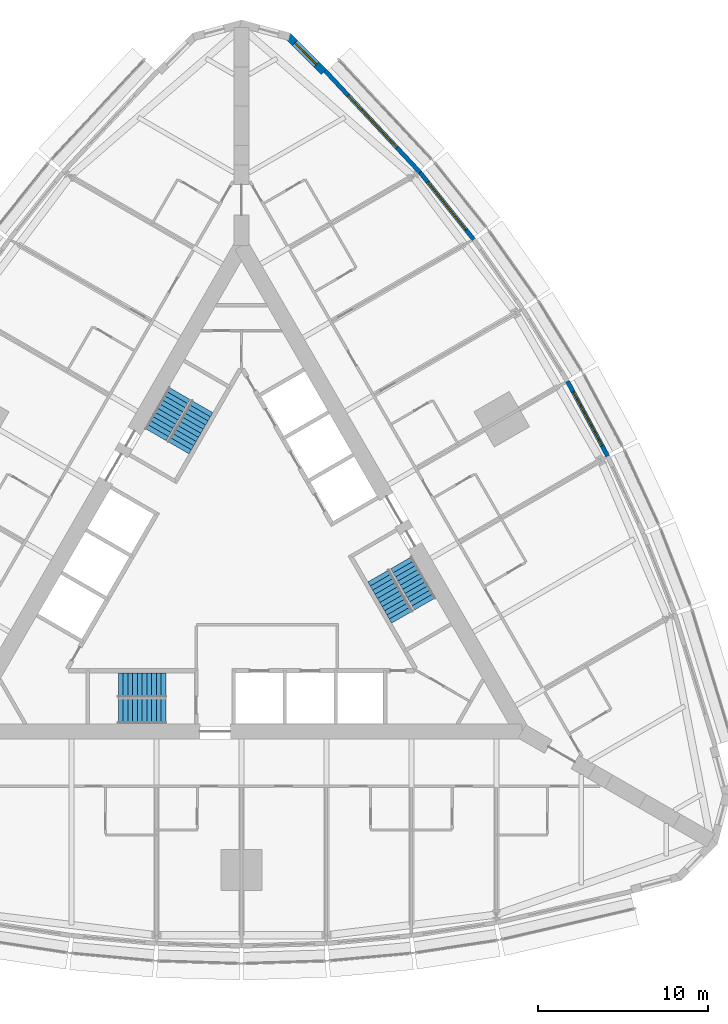
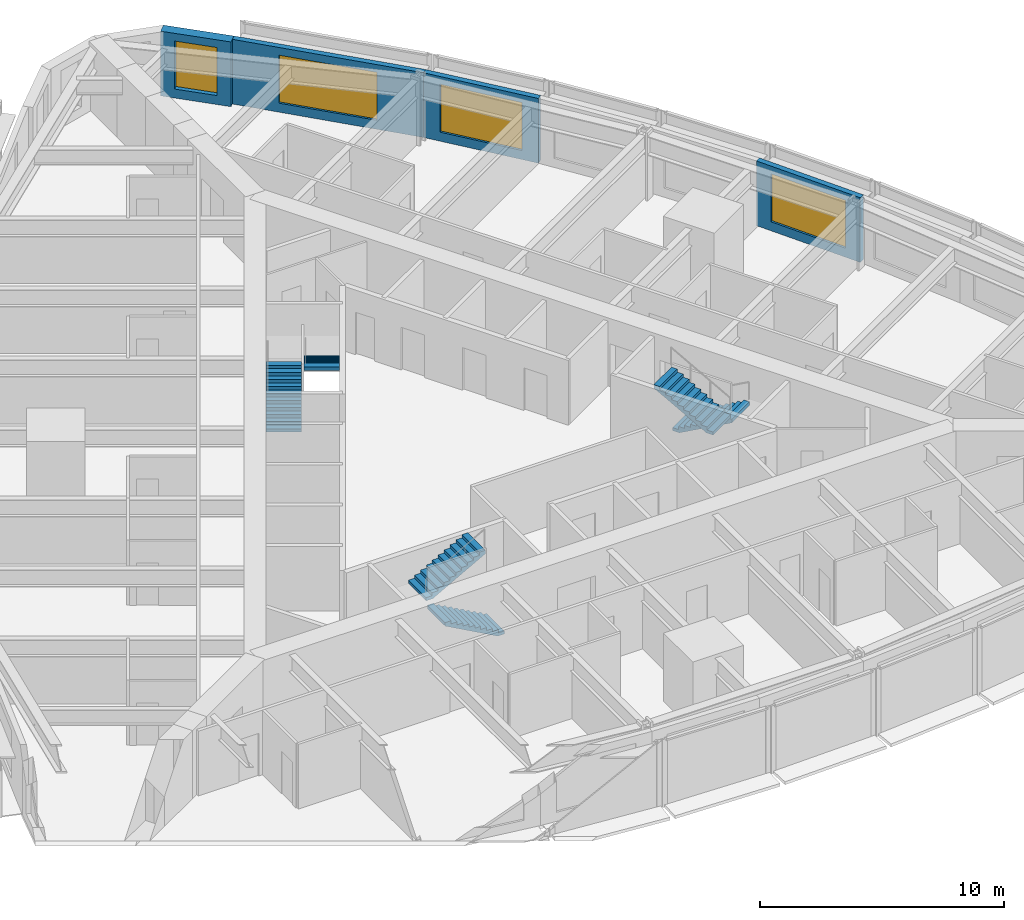
# One storey, part 13 of 14: 6 stair flights, 4 walls, 4 windows, 4 openings, 3 elements without a shape of their own.
"""IFC4 building model written with IfcOpenShell, lengths in metres."""

from ifc_helpers import new_model, si_unit, direction, frame, frame_2d, origin, place, context, subcontext, project, spatial, polyline, rectangle, outline, extrude, material, layer, layer_set, type_object, element, fill, aggregate, save


model = new_model("IFC4")

# Units and contexts
model_context = context("Model", 3, precision=1e-05, world=origin(), true_north=direction((0.0, 1.0)))
body_context = subcontext(model_context, "Body", "Model", "MODEL_VIEW")
ifc_project = project(units=[si_unit("LENGTHUNIT", "METRE"), si_unit("AREAUNIT", "SQUARE_METRE"), si_unit("VOLUMEUNIT", "CUBIC_METRE"), si_unit("PLANEANGLEUNIT", "RADIAN"), si_unit("MASSUNIT", "GRAM", prefix="KILO")], contexts=[model_context])

# Site, building, storey
site_placement = place(None, origin())
site = spatial("IfcSite", under=ifc_project, at=site_placement, CompositionType="ELEMENT")
building_placement = place(site_placement, origin())
building = spatial("IfcBuilding", under=site, at=building_placement, Name="Trikona Tower", CompositionType="ELEMENT")
storey_placement = place(building_placement, frame((0.0, 0.0, 93.10009765625)))
storey = spatial("IfcBuildingStorey", under=building, at=storey_placement, Name="L24", CompositionType="ELEMENT", Elevation=93.10009765625)

# Wall, opening, window
ifc_material_1 = material(Name="Brick-faced precast concrete", Category="masonry")
ifc_layer_1 = layer(ifc_material_1, 0.449951171875)
ifc_layer_set_1 = layer_set([ifc_layer_1], Name="Brick-faced corner wall 450")
wall_type_1 = type_object("IfcWallType", Name="Brick-faced corner wall 450", PredefinedType="SOLIDWALL", material=ifc_layer_set_1)
wall_1_placement = place(storey_placement, frame((4.8408203125, 29.285888671875, 0.0), z_axis=(0.0, 0.0, 1.0), x_axis=(-0.707106781187, 0.707106781187, 0.0)))
wall_1 = element("IfcWall", 1, at=wall_1_placement, inside=storey, type_object=wall_type_1, Name="External wall L24-20", PredefinedType="SOLIDWALL", context=body_context, shape_type="SweptSolid", body=[
    extrude(rectangle(XDim=2.98828125, YDim=0.449951171875, at=frame_2d((1.494140625, 0.0))), origin(), (0.0, 0.0, 1.0), 3.23486328125),
])
opening_1_placement = place(wall_1_placement, frame((0.59423828125, 0.0, 0.449951171875)))
opening_1 = element("IfcOpeningElement", 2, at=opening_1_placement, cuts=wall_1, Name="Opening W1824", PredefinedType="OPENING", context=body_context, shape_type="SweptSolid", body=[
    extrude(rectangle(XDim=1.800048828125, YDim=2.39990234375, at=frame_2d((0.89990234375, 1.199951171875))), frame((0.0, 0.23486328125, 0.0), z_axis=(0.0, -1.0, 0.0), x_axis=(1.0, 0.0, 0.0)), (0.0, 0.0, 1.0), 0.469970703125),
])
ifc_material_2 = material(Name="Aluminium-framed double glazing", Category="aluminium")
window_type_1 = type_object("IfcWindowType", Name="Window 1800x2400", PartitioningType="SINGLE_PANEL", PredefinedType="WINDOW", material=ifc_material_2)
window_1_placement = place(opening_1_placement, origin())
window_1 = element("IfcWindow", 3, at=window_1_placement, inside=storey, type_object=window_type_1, Name="Window 2411", OverallHeight=2.39990234375, OverallWidth=1.800048828125, PartitioningType="SINGLE_PANEL", PredefinedType="WINDOW", context=body_context, shape_type="SweptSolid", body=[
    extrude(rectangle(XDim=1.800048828125, YDim=2.39990234375, at=frame_2d((0.89990234375, 1.199951171875))), frame((0.0, 0.030029296875, 0.0), z_axis=(0.0, -1.0, 0.0), x_axis=(1.0, 0.0, 0.0)), (0.0, 0.0, 1.0), 0.06005859375),
])
fill(opening_1, window_1)

ifc_material_3 = material(Name="Insulated precast concrete spandrel panel", Category="concrete")
ifc_layer_2 = layer(ifc_material_3, 0.25)
ifc_layer_set_2 = layer_set([ifc_layer_2], Name="Inner skin wall 250")
wall_type_2 = type_object("IfcWallType", Name="Inner skin wall 250", PredefinedType="STANDARD", material=ifc_layer_set_2)
wall_2_placement = place(storey_placement, frame((21.546630859375, 6.6708984375, 0.0), z_axis=(0.0, 0.0, 1.0), x_axis=(-0.473412820489, 0.880840678782, 0.0)))
wall_2 = element("IfcWall", 4, at=wall_2_placement, inside=storey, type_object=wall_type_2, Name="External wall L24-15", PredefinedType="STANDARD", context=body_context, shape_type="SweptSolid", body=[
    extrude(rectangle(XDim=5.00244140625, YDim=0.25, at=frame_2d((2.501220703125, 0.0))), origin(), (0.0, 0.0, 1.0), 3.23486328125),
])
opening_2_placement = place(wall_2_placement, frame((0.701171875, 0.0, 0.449951171875)))
opening_2 = element("IfcOpeningElement", 5, at=opening_2_placement, cuts=wall_2, Name="Opening W3624", PredefinedType="OPENING", context=body_context, shape_type="SweptSolid", body=[
    extrude(rectangle(XDim=3.60009765625, YDim=2.39990234375, at=frame_2d((1.800048828125, 1.199951171875))), frame((0.0, 0.135009765625, 0.0), z_axis=(0.0, -1.0, 0.0), x_axis=(1.0, 0.0, 0.0)), (0.0, 0.0, 1.0), 0.27001953125),
])
ifc_material_4 = material(Name="Aluminium-framed double glazing", Category="aluminium")
window_type_2 = type_object("IfcWindowType", Name="Window 3600x2400", PartitioningType="SINGLE_PANEL", PredefinedType="WINDOW", material=ifc_material_4)
window_2_placement = place(opening_2_placement, origin())
window_2 = element("IfcWindow", 6, at=window_2_placement, inside=storey, type_object=window_type_2, Name="Window 2409", OverallHeight=2.39990234375, OverallWidth=3.60009765625, PartitioningType="SINGLE_PANEL", PredefinedType="WINDOW", context=body_context, shape_type="SweptSolid", body=[
    extrude(rectangle(XDim=3.60009765625, YDim=2.39990234375, at=frame_2d((1.800048828125, 1.199951171875))), frame((0.0, 0.030029296875, 0.0), z_axis=(0.0, -1.0, 0.0), x_axis=(1.0, 0.0, 0.0)), (0.0, 0.0, 1.0), 0.06005859375),
])
fill(opening_2, window_2)

wall_3_placement = place(storey_placement, frame((13.663818359375, 19.4140625, 0.0), z_axis=(0.0, 0.0, 1.0), x_axis=(-0.624594965756, 0.780948864364, 0.0)))
wall_3 = element("IfcWall", 7, at=wall_3_placement, inside=storey, type_object=wall_type_2, Name="External wall L24-18", PredefinedType="STANDARD", context=body_context, shape_type="SweptSolid", body=[
    extrude(rectangle(XDim=5.0576171875, YDim=0.25, at=frame_2d((2.52880859375, 0.0))), origin(), (0.0, 0.0, 1.0), 3.23486328125),
])
opening_3_placement = place(wall_3_placement, frame((0.728759765625, 0.0, 0.449951171875)))
opening_3 = element("IfcOpeningElement", 8, at=opening_3_placement, cuts=wall_3, Name="Opening W3624", PredefinedType="OPENING", context=body_context, shape_type="SweptSolid", body=[
    extrude(rectangle(XDim=3.60009765625, YDim=2.39990234375, at=frame_2d((1.800048828125, 1.199951171875))), frame((0.0, 0.135009765625, 0.0), z_axis=(0.0, -1.0, 0.0), x_axis=(1.0, 0.0, 0.0)), (0.0, 0.0, 1.0), 0.27001953125),
])
window_3_placement = place(opening_3_placement, origin())
window_3 = element("IfcWindow", 9, at=window_3_placement, inside=storey, type_object=window_type_2, Name="Window 2410.2", OverallHeight=2.39990234375, OverallWidth=3.60009765625, PartitioningType="SINGLE_PANEL", PredefinedType="WINDOW", context=body_context, shape_type="SweptSolid", body=[
    extrude(rectangle(XDim=3.60009765625, YDim=2.39990234375, at=frame_2d((1.800048828125, 1.199951171875))), frame((0.0, 0.030029296875, 0.0), z_axis=(0.0, -1.0, 0.0), x_axis=(1.0, 0.0, 0.0)), (0.0, 0.0, 1.0), 0.06005859375),
])
fill(opening_3, window_3)

wall_4_placement = place(storey_placement, frame((10.510986328125, 23.356689453125, 0.0), z_axis=(0.0, 0.0, 1.0), x_axis=(-0.682289646561, 0.731081964075, 0.0)))
wall_4 = element("IfcWall", 10, at=wall_4_placement, inside=storey, type_object=wall_type_2, Name="External wall L24-19", PredefinedType="STANDARD", context=body_context, shape_type="SweptSolid", body=[
    extrude(rectangle(XDim=8.2109375, YDim=0.25, at=frame_2d((4.10546875, 0.0))), origin(), (0.0, 0.0, 1.0), 3.23486328125),
])
opening_4_placement = place(wall_4_placement, frame((2.005615234375, 0.0, 0.449951171875)))
opening_4 = element("IfcOpeningElement", 11, at=opening_4_placement, cuts=wall_4, Name="Opening W4224", PredefinedType="OPENING", context=body_context, shape_type="SweptSolid", body=[
    extrude(rectangle(XDim=4.199951171875, YDim=2.39990234375, at=frame_2d((2.10009765625, 1.199951171875))), frame((0.0, 0.135009765625, 0.0), z_axis=(0.0, -1.0, 0.0), x_axis=(1.0, 0.0, 0.0)), (0.0, 0.0, 1.0), 0.27001953125),
])
ifc_material_5 = material(Name="Aluminium-framed double glazing", Category="aluminium")
window_type_3 = type_object("IfcWindowType", Name="Window 4200x2400", PartitioningType="SINGLE_PANEL", PredefinedType="WINDOW", material=ifc_material_5)
window_4_placement = place(opening_4_placement, origin())
window_4 = element("IfcWindow", 12, at=window_4_placement, inside=storey, type_object=window_type_3, Name="Window 2411", OverallHeight=2.39990234375, OverallWidth=4.199951171875, PartitioningType="SINGLE_PANEL", PredefinedType="WINDOW", context=body_context, shape_type="SweptSolid", body=[
    extrude(rectangle(XDim=4.199951171875, YDim=2.39990234375, at=frame_2d((2.10009765625, 1.199951171875))), frame((0.0, 0.030029296875, 0.0), z_axis=(0.0, -1.0, 0.0), x_axis=(1.0, 0.0, 0.0)), (0.0, 0.0, 1.0), 0.06005859375),
])
fill(opening_4, window_4)

# Stair, stair flights
ifc_material_6 = material(Name="Concrete f'c 5000 psi", Category="concrete")
stair_type = type_object("IfcStairType", Name="Core stair", PredefinedType="HALF_TURN_STAIR", material=ifc_material_6)
stair_1_placement = place(storey_placement, origin())
stair_1 = element("IfcStair", 13, at=stair_1_placement, inside=storey, type_object=stair_type, Name="Stair A L24", PredefinedType="HALF_TURN_STAIR")
ifc_material_7 = material(Name="Concrete f'c 5000 psi", Category="concrete")
stair_flight_type = type_object("IfcStairFlightType", Name="Core stair flight 1450", PredefinedType="STRAIGHT", material=ifc_material_7)
stair_flight_1_placement = place(storey_placement, frame((-4.449951171875, -8.351318359375, 0.0), z_axis=(0.0, 0.0, 1.0), x_axis=(-1.0, 0.0, 0.0)))
stair_flight_1 = element("IfcStairFlight", 14, at=stair_flight_1_placement, type_object=stair_flight_type, Name="ST-A flight 1", NumberOfRisers=11, NumberOfTreads=10, PredefinedType="STRAIGHT", RiserHeight=0.154545, TreadLength=0.28, context=body_context, shape_type="SweptSolid", body=[
    extrude(outline(polyline([(0.0, 0.0), (0.0, 0.154541015625), (0.280029296875, 0.154541015625), (0.280029296875, 0.30908203125), (0.56005859375, 0.30908203125), (0.56005859375, 0.463623046875), (0.840087890625, 0.463623046875), (0.840087890625, 0.6181640625), (1.1201171875, 0.6181640625), (1.1201171875, 0.772705078125), (1.39990234375, 0.772705078125), (1.39990234375, 0.92724609375), (1.679931640625, 0.92724609375), (1.679931640625, 1.081787109375), (1.9599609375, 1.081787109375), (1.9599609375, 1.236328125), (2.239990234375, 1.236328125), (2.239990234375, 1.390869140625), (2.52001953125, 1.390869140625), (2.52001953125, 1.54541015625), (2.800048828125, 1.54541015625), (2.800048828125, 1.699951171875), (2.800048828125, 1.374267578125), (0.310302734375, 0.0), (0.0, 0.0)])), frame((0.0, 0.72509765625, 0.0), z_axis=(0.0, -1.0, 0.0), x_axis=(1.0, 0.0, 0.0)), (0.0, 0.0, 1.0), 1.449951171875),
])
stair_flight_2_placement = place(storey_placement, frame((-7.25, -6.80126953125, 1.699951171875), z_axis=(0.0, 0.0, 1.0), x_axis=(1.0, 0.0, 0.0)))
stair_flight_2 = element("IfcStairFlight", 15, at=stair_flight_2_placement, type_object=stair_flight_type, Name="ST-A flight 2", NumberOfRisers=11, NumberOfTreads=10, PredefinedType="STRAIGHT", RiserHeight=0.154545, TreadLength=0.28, context=body_context, shape_type="SweptSolid", body=[
    extrude(outline(polyline([(0.0, 0.0), (0.0, 0.154541015625), (0.280029296875, 0.154541015625), (0.280029296875, 0.30908203125), (0.56005859375, 0.30908203125), (0.56005859375, 0.463623046875), (0.840087890625, 0.463623046875), (0.840087890625, 0.6181640625), (1.1201171875, 0.6181640625), (1.1201171875, 0.772705078125), (1.39990234375, 0.772705078125), (1.39990234375, 0.92724609375), (1.679931640625, 0.92724609375), (1.679931640625, 1.081787109375), (1.9599609375, 1.081787109375), (1.9599609375, 1.236328125), (2.239990234375, 1.236328125), (2.239990234375, 1.390869140625), (2.52001953125, 1.390869140625), (2.52001953125, 1.54541015625), (2.800048828125, 1.54541015625), (2.800048828125, 1.699951171875), (2.800048828125, 1.374267578125), (0.310302734375, 0.0), (0.0, 0.0)])), frame((0.0, 0.72509765625, 0.0), z_axis=(0.0, -1.0, 0.0), x_axis=(1.0, 0.0, 0.0)), (0.0, 0.0, 1.0), 1.449951171875),
])
aggregate(stair_1, [stair_flight_1, stair_flight_2])

stair_2_placement = place(storey_placement, origin())
stair_2 = element("IfcStair", 16, at=stair_2_placement, inside=storey, type_object=stair_type, Name="Stair B L24", PredefinedType="HALF_TURN_STAIR")
stair_flight_3_placement = place(storey_placement, frame((9.407470703125, 0.408447265625, 0.0), z_axis=(0.0, 0.0, 1.0), x_axis=(0.5, -0.866025403784, 0.0)))
stair_flight_3 = element("IfcStairFlight", 17, at=stair_flight_3_placement, type_object=stair_flight_type, Name="ST-B flight 1", NumberOfRisers=11, NumberOfTreads=10, PredefinedType="STRAIGHT", RiserHeight=0.154545, TreadLength=0.28, context=body_context, shape_type="SweptSolid", body=[
    extrude(outline(polyline([(0.0, 0.0), (0.0, 0.154541015625), (0.280029296875, 0.154541015625), (0.280029296875, 0.30908203125), (0.56005859375, 0.30908203125), (0.56005859375, 0.463623046875), (0.840087890625, 0.463623046875), (0.840087890625, 0.6181640625), (1.1201171875, 0.6181640625), (1.1201171875, 0.772705078125), (1.39990234375, 0.772705078125), (1.39990234375, 0.92724609375), (1.679931640625, 0.92724609375), (1.679931640625, 1.081787109375), (1.9599609375, 1.081787109375), (1.9599609375, 1.236328125), (2.239990234375, 1.236328125), (2.239990234375, 1.390869140625), (2.52001953125, 1.390869140625), (2.52001953125, 1.54541015625), (2.800048828125, 1.54541015625), (2.800048828125, 1.699951171875), (2.800048828125, 1.374267578125), (0.310302734375, 0.0), (0.0, 0.0)])), frame((0.0, 0.72509765625, 0.0), z_axis=(0.0, -1.0, 0.0), x_axis=(1.0, 0.0, 0.0)), (0.0, 0.0, 1.0), 1.449951171875),
])
stair_flight_4_placement = place(storey_placement, frame((9.465087890625, -2.79150390625, 1.699951171875), z_axis=(0.0, 0.0, 1.0), x_axis=(-0.5, 0.866025403784, 0.0)))
stair_flight_4 = element("IfcStairFlight", 18, at=stair_flight_4_placement, type_object=stair_flight_type, Name="ST-B flight 2", NumberOfRisers=11, NumberOfTreads=10, PredefinedType="STRAIGHT", RiserHeight=0.154545, TreadLength=0.28, context=body_context, shape_type="SweptSolid", body=[
    extrude(outline(polyline([(0.0, 0.0), (0.0, 0.154541015625), (0.280029296875, 0.154541015625), (0.280029296875, 0.30908203125), (0.56005859375, 0.30908203125), (0.56005859375, 0.463623046875), (0.840087890625, 0.463623046875), (0.840087890625, 0.6181640625), (1.1201171875, 0.6181640625), (1.1201171875, 0.772705078125), (1.39990234375, 0.772705078125), (1.39990234375, 0.92724609375), (1.679931640625, 0.92724609375), (1.679931640625, 1.081787109375), (1.9599609375, 1.081787109375), (1.9599609375, 1.236328125), (2.239990234375, 1.236328125), (2.239990234375, 1.390869140625), (2.52001953125, 1.390869140625), (2.52001953125, 1.54541015625), (2.800048828125, 1.54541015625), (2.800048828125, 1.699951171875), (2.800048828125, 1.374267578125), (0.310302734375, 0.0), (0.0, 0.0)])), frame((0.0, 0.72509765625, 0.0), z_axis=(0.0, -1.0, 0.0), x_axis=(1.0, 0.0, 0.0)), (0.0, 0.0, 1.0), 1.449951171875),
])
aggregate(stair_2, [stair_flight_3, stair_flight_4])

stair_3_placement = place(storey_placement, origin())
stair_3 = element("IfcStair", 19, at=stair_3_placement, inside=storey, type_object=stair_type, Name="Stair C L24", PredefinedType="HALF_TURN_STAIR")
stair_flight_5_placement = place(storey_placement, frame((-5.057373046875, 7.94287109375, 0.0), z_axis=(0.0, 0.0, 1.0), x_axis=(0.5, 0.866025403784, 0.0)))
stair_flight_5 = element("IfcStairFlight", 20, at=stair_flight_5_placement, type_object=stair_flight_type, Name="ST-C flight 1", NumberOfRisers=11, NumberOfTreads=10, PredefinedType="STRAIGHT", RiserHeight=0.154545, TreadLength=0.28, context=body_context, shape_type="SweptSolid", body=[
    extrude(outline(polyline([(0.0, 0.0), (0.0, 0.154541015625), (0.280029296875, 0.154541015625), (0.280029296875, 0.30908203125), (0.56005859375, 0.30908203125), (0.56005859375, 0.463623046875), (0.840087890625, 0.463623046875), (0.840087890625, 0.6181640625), (1.1201171875, 0.6181640625), (1.1201171875, 0.772705078125), (1.39990234375, 0.772705078125), (1.39990234375, 0.92724609375), (1.679931640625, 0.92724609375), (1.679931640625, 1.081787109375), (1.9599609375, 1.081787109375), (1.9599609375, 1.236328125), (2.239990234375, 1.236328125), (2.239990234375, 1.390869140625), (2.52001953125, 1.390869140625), (2.52001953125, 1.54541015625), (2.800048828125, 1.54541015625), (2.800048828125, 1.699951171875), (2.800048828125, 1.374267578125), (0.310302734375, 0.0), (0.0, 0.0)])), frame((0.0, 0.72509765625, 0.0), z_axis=(0.0, -1.0, 0.0), x_axis=(1.0, 0.0, 0.0)), (0.0, 0.0, 1.0), 1.449951171875),
])
stair_flight_6_placement = place(storey_placement, frame((-2.315185546875, 9.5927734375, 1.699951171875), z_axis=(0.0, 0.0, 1.0), x_axis=(-0.5, -0.866025403784, 0.0)))
stair_flight_6 = element("IfcStairFlight", 21, at=stair_flight_6_placement, type_object=stair_flight_type, Name="ST-C flight 2", NumberOfRisers=11, NumberOfTreads=10, PredefinedType="STRAIGHT", RiserHeight=0.154545, TreadLength=0.28, context=body_context, shape_type="SweptSolid", body=[
    extrude(outline(polyline([(0.0, 0.0), (0.0, 0.154541015625), (0.280029296875, 0.154541015625), (0.280029296875, 0.30908203125), (0.56005859375, 0.30908203125), (0.56005859375, 0.463623046875), (0.840087890625, 0.463623046875), (0.840087890625, 0.6181640625), (1.1201171875, 0.6181640625), (1.1201171875, 0.772705078125), (1.39990234375, 0.772705078125), (1.39990234375, 0.92724609375), (1.679931640625, 0.92724609375), (1.679931640625, 1.081787109375), (1.9599609375, 1.081787109375), (1.9599609375, 1.236328125), (2.239990234375, 1.236328125), (2.239990234375, 1.390869140625), (2.52001953125, 1.390869140625), (2.52001953125, 1.54541015625), (2.800048828125, 1.54541015625), (2.800048828125, 1.699951171875), (2.800048828125, 1.374267578125), (0.310302734375, 0.0), (0.0, 0.0)])), frame((0.0, 0.72509765625, 0.0), z_axis=(0.0, -1.0, 0.0), x_axis=(1.0, 0.0, 0.0)), (0.0, 0.0, 1.0), 1.449951171875),
])
aggregate(stair_3, [stair_flight_5, stair_flight_6])

save(model, "model.ifc")
